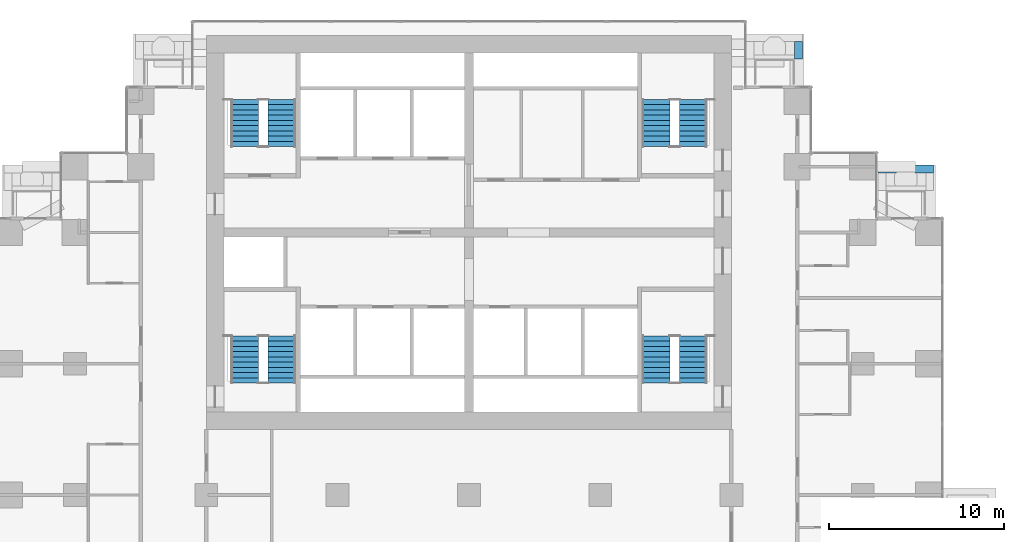
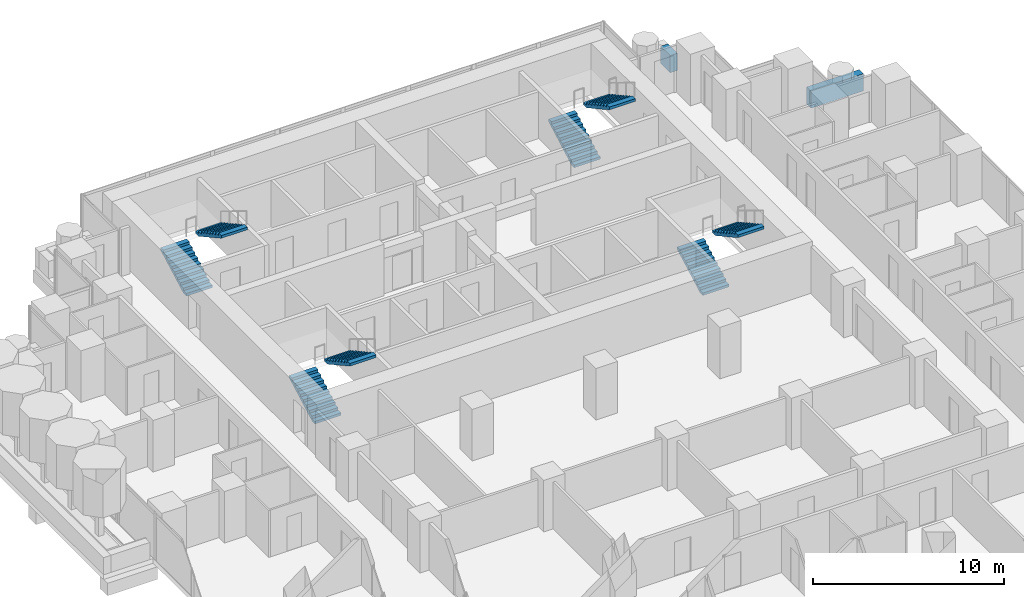
# One storey, part 15 of 18: 8 stair flights, 2 walls, 4 elements without a shape of their own.
"""IFC4 building model written with IfcOpenShell, lengths in metres."""

from ifc_helpers import new_model, si_unit, direction, frame, frame_2d, origin, place, context, subcontext, project, spatial, polyline, rectangle, outline, extrude, material, layer, layer_set, type_object, element, aggregate, save


model = new_model("IFC4")

# Units and contexts
model_context = context("Model", 3, precision=1e-05, world=origin(), true_north=direction((0.0, 1.0)))
body_context = subcontext(model_context, "Body", "Model", "MODEL_VIEW")
ifc_project = project(units=[si_unit("LENGTHUNIT", "METRE"), si_unit("AREAUNIT", "SQUARE_METRE"), si_unit("VOLUMEUNIT", "CUBIC_METRE"), si_unit("PLANEANGLEUNIT", "RADIAN"), si_unit("MASSUNIT", "GRAM", prefix="KILO")], contexts=[model_context])

# Site, building, storey
site_placement = place(None, origin())
site = spatial("IfcSite", under=ifc_project, at=site_placement, CompositionType="ELEMENT")
building_placement = place(site_placement, origin())
building = spatial("IfcBuilding", under=site, at=building_placement, Name="Pilkhan Gate Tower", CompositionType="ELEMENT")
storey_placement = place(building_placement, frame((0.0, 0.0, 56.0)))
storey = spatial("IfcBuildingStorey", under=building, at=storey_placement, Name="L11", CompositionType="ELEMENT", Elevation=56.0)

# Walls
ifc_material_1 = material(Name="Board-marked Concrete C40/50", Category="concrete")
ifc_layer = layer(ifc_material_1, 0.449951171875)
ifc_layer_set = layer_set([ifc_layer], Name="Balcony planter lip BL450")
wall_type = type_object("IfcWallType", Name="Balcony planter lip BL450", PredefinedType="USERDEFINED", material=ifc_layer_set)
wall_1_placement = place(storey_placement, frame((93.824951171875, 92.39990234375, 0.0), z_axis=(0.0, 0.0, 1.0), x_axis=(0.0, 1.0, 0.0)))
element("IfcWall", 1, at=wall_1_placement, inside=storey, type_object=wall_type, Name="Balcony planter L11 N", ObjectType="BALCONY PLANTER", PredefinedType="USERDEFINED", context=body_context, shape_type="SweptSolid", body=[
    extrude(rectangle(XDim=1.0, YDim=0.449951171875, at=frame_2d((0.5, 0.0))), origin(), (0.0, 0.0, 1.0), 1.10009765625),
])
wall_2_placement = place(storey_placement, frame((98.3701171875, 86.125, 0.0), z_axis=(0.0, 0.0, 1.0), x_axis=(1.0, 0.0, 0.0)))
element("IfcWall", 2, at=wall_2_placement, inside=storey, type_object=wall_type, Name="Balcony planter L11 N", ObjectType="BALCONY PLANTER", PredefinedType="USERDEFINED", context=body_context, shape_type="SweptSolid", body=[
    extrude(rectangle(XDim=3.179931640625, YDim=0.449951171875, at=frame_2d((1.58984375, 0.0))), origin(), (0.0, 0.0, 1.0), 1.10009765625),
])

# Stair, stair flights
ifc_material_2 = material(Name="Concrete C40/50 precast", Category="concrete")
stair_type_1 = type_object("IfcStairType", Name="Stair ST1 165x300", PredefinedType="HALF_TURN_STAIR", material=ifc_material_2)
stair_1_placement = place(storey_placement, origin())
stair_1 = element("IfcStair", 3, at=stair_1_placement, inside=storey, type_object=stair_type_1, Name="Stair ST1 L11", PredefinedType="HALF_TURN_STAIR")
stair_flight_type_1 = type_object("IfcStairFlightType", Name="Stair flight ST1 165x300x10", PredefinedType="STRAIGHT", material=ifc_material_2)
stair_flight_1_placement = place(storey_placement, frame((85.68994140625, 73.89990234375, 0.0), z_axis=(0.0, 0.0, 1.0), x_axis=(0.0, 1.0, 0.0)))
stair_flight_1 = element("IfcStairFlight", 4, at=stair_flight_1_placement, type_object=stair_flight_type_1, Name="ST1 flight 1", NumberOfRisers=10, NumberOfTreads=9, PredefinedType="STRAIGHT", RiserHeight=0.165, TreadLength=0.3, context=body_context, shape_type="SweptSolid", body=[
    extrude(outline(polyline([(0.0, 0.0), (0.0, 0.1650390625), (0.300048828125, 0.1650390625), (0.300048828125, 0.330078125), (0.60009765625, 0.330078125), (0.60009765625, 0.4951171875), (0.89990234375, 0.4951171875), (0.89990234375, 0.659912109375), (1.199951171875, 0.659912109375), (1.199951171875, 0.824951171875), (1.5, 0.824951171875), (1.5, 0.989990234375), (1.800048828125, 0.989990234375), (1.800048828125, 1.155029296875), (2.10009765625, 1.155029296875), (2.10009765625, 1.320068359375), (2.39990234375, 1.320068359375), (2.39990234375, 1.485107421875), (2.699951171875, 1.485107421875), (2.699951171875, 1.64990234375), (2.699951171875, 1.31396484375), (0.31103515625, 0.0), (0.0, 0.0)])), frame((0.0, 0.7900390625, 0.0), z_axis=(0.0, -1.0, 0.0), x_axis=(1.0, 0.0, 0.0)), (0.0, 0.0, 1.0), 1.580078125),
])
stair_flight_2_placement = place(storey_placement, frame((87.81005859375, 76.60009765625, 1.64990234375), z_axis=(0.0, 0.0, 1.0), x_axis=(0.0, -1.0, 0.0)))
stair_flight_2 = element("IfcStairFlight", 5, at=stair_flight_2_placement, type_object=stair_flight_type_1, Name="ST1 flight 2", NumberOfRisers=10, NumberOfTreads=9, PredefinedType="STRAIGHT", RiserHeight=0.165, TreadLength=0.3, context=body_context, shape_type="SweptSolid", body=[
    extrude(outline(polyline([(0.0, 0.0), (0.0, 0.1650390625), (0.300048828125, 0.1650390625), (0.300048828125, 0.330078125), (0.60009765625, 0.330078125), (0.60009765625, 0.4951171875), (0.89990234375, 0.4951171875), (0.89990234375, 0.659912109375), (1.199951171875, 0.659912109375), (1.199951171875, 0.824951171875), (1.5, 0.824951171875), (1.5, 0.989990234375), (1.800048828125, 0.989990234375), (1.800048828125, 1.155029296875), (2.10009765625, 1.155029296875), (2.10009765625, 1.320068359375), (2.39990234375, 1.320068359375), (2.39990234375, 1.485107421875), (2.699951171875, 1.485107421875), (2.699951171875, 1.64990234375), (2.699951171875, 1.31396484375), (0.31103515625, 0.0), (0.0, 0.0)])), frame((0.0, 0.7900390625, 0.0), z_axis=(0.0, -1.0, 0.0), x_axis=(1.0, 0.0, 0.0)), (0.0, 0.0, 1.0), 1.580078125),
])
aggregate(stair_1, [stair_flight_1, stair_flight_2])

stair_type_2 = type_object("IfcStairType", Name="Stair ST2 165x300", PredefinedType="HALF_TURN_STAIR", material=ifc_material_2)
stair_2_placement = place(storey_placement, origin())
stair_2 = element("IfcStair", 6, at=stair_2_placement, inside=storey, type_object=stair_type_2, Name="Stair ST2 L11", PredefinedType="HALF_TURN_STAIR")
stair_flight_type_2 = type_object("IfcStairFlightType", Name="Stair flight ST2 165x300x10", PredefinedType="STRAIGHT", material=ifc_material_2)
stair_flight_3_placement = place(storey_placement, frame((62.18994140625, 73.89990234375, 0.0), z_axis=(0.0, 0.0, 1.0), x_axis=(0.0, 1.0, 0.0)))
stair_flight_3 = element("IfcStairFlight", 7, at=stair_flight_3_placement, type_object=stair_flight_type_2, Name="ST2 flight 1", NumberOfRisers=10, NumberOfTreads=9, PredefinedType="STRAIGHT", RiserHeight=0.165, TreadLength=0.3, context=body_context, shape_type="SweptSolid", body=[
    extrude(outline(polyline([(0.0, 0.0), (0.0, 0.1650390625), (0.300048828125, 0.1650390625), (0.300048828125, 0.330078125), (0.60009765625, 0.330078125), (0.60009765625, 0.4951171875), (0.89990234375, 0.4951171875), (0.89990234375, 0.659912109375), (1.199951171875, 0.659912109375), (1.199951171875, 0.824951171875), (1.5, 0.824951171875), (1.5, 0.989990234375), (1.800048828125, 0.989990234375), (1.800048828125, 1.155029296875), (2.10009765625, 1.155029296875), (2.10009765625, 1.320068359375), (2.39990234375, 1.320068359375), (2.39990234375, 1.485107421875), (2.699951171875, 1.485107421875), (2.699951171875, 1.64990234375), (2.699951171875, 1.31396484375), (0.31103515625, 0.0), (0.0, 0.0)])), frame((0.0, 0.7900390625, 0.0), z_axis=(0.0, -1.0, 0.0), x_axis=(1.0, 0.0, 0.0)), (0.0, 0.0, 1.0), 1.580078125),
])
stair_flight_4_placement = place(storey_placement, frame((64.31005859375, 76.60009765625, 1.64990234375), z_axis=(0.0, 0.0, 1.0), x_axis=(0.0, -1.0, 0.0)))
stair_flight_4 = element("IfcStairFlight", 8, at=stair_flight_4_placement, type_object=stair_flight_type_2, Name="ST2 flight 2", NumberOfRisers=10, NumberOfTreads=9, PredefinedType="STRAIGHT", RiserHeight=0.165, TreadLength=0.3, context=body_context, shape_type="SweptSolid", body=[
    extrude(outline(polyline([(0.0, 0.0), (0.0, 0.1650390625), (0.300048828125, 0.1650390625), (0.300048828125, 0.330078125), (0.60009765625, 0.330078125), (0.60009765625, 0.4951171875), (0.89990234375, 0.4951171875), (0.89990234375, 0.659912109375), (1.199951171875, 0.659912109375), (1.199951171875, 0.824951171875), (1.5, 0.824951171875), (1.5, 0.989990234375), (1.800048828125, 0.989990234375), (1.800048828125, 1.155029296875), (2.10009765625, 1.155029296875), (2.10009765625, 1.320068359375), (2.39990234375, 1.320068359375), (2.39990234375, 1.485107421875), (2.699951171875, 1.485107421875), (2.699951171875, 1.64990234375), (2.699951171875, 1.31396484375), (0.31103515625, 0.0), (0.0, 0.0)])), frame((0.0, 0.7900390625, 0.0), z_axis=(0.0, -1.0, 0.0), x_axis=(1.0, 0.0, 0.0)), (0.0, 0.0, 1.0), 1.580078125),
])
aggregate(stair_2, [stair_flight_3, stair_flight_4])

stair_type_3 = type_object("IfcStairType", Name="Stair ST3 165x300", PredefinedType="HALF_TURN_STAIR", material=ifc_material_2)
stair_3_placement = place(storey_placement, origin())
stair_3 = element("IfcStair", 9, at=stair_3_placement, inside=storey, type_object=stair_type_3, Name="Stair ST3 L11", PredefinedType="HALF_TURN_STAIR")
stair_flight_type_3 = type_object("IfcStairFlightType", Name="Stair flight ST3 165x300x10", PredefinedType="STRAIGHT", material=ifc_material_2)
stair_flight_5_placement = place(storey_placement, frame((62.18994140625, 87.39990234375, 0.0), z_axis=(0.0, 0.0, 1.0), x_axis=(0.0, 1.0, 0.0)))
stair_flight_5 = element("IfcStairFlight", 10, at=stair_flight_5_placement, type_object=stair_flight_type_3, Name="ST3 flight 1", NumberOfRisers=10, NumberOfTreads=9, PredefinedType="STRAIGHT", RiserHeight=0.165, TreadLength=0.3, context=body_context, shape_type="SweptSolid", body=[
    extrude(outline(polyline([(0.0, 0.0), (0.0, 0.1650390625), (0.300048828125, 0.1650390625), (0.300048828125, 0.330078125), (0.60009765625, 0.330078125), (0.60009765625, 0.4951171875), (0.89990234375, 0.4951171875), (0.89990234375, 0.659912109375), (1.199951171875, 0.659912109375), (1.199951171875, 0.824951171875), (1.5, 0.824951171875), (1.5, 0.989990234375), (1.800048828125, 0.989990234375), (1.800048828125, 1.155029296875), (2.10009765625, 1.155029296875), (2.10009765625, 1.320068359375), (2.39990234375, 1.320068359375), (2.39990234375, 1.485107421875), (2.699951171875, 1.485107421875), (2.699951171875, 1.64990234375), (2.699951171875, 1.31396484375), (0.31103515625, 0.0), (0.0, 0.0)])), frame((0.0, 0.7900390625, 0.0), z_axis=(0.0, -1.0, 0.0), x_axis=(1.0, 0.0, 0.0)), (0.0, 0.0, 1.0), 1.580078125),
])
stair_flight_6_placement = place(storey_placement, frame((64.31005859375, 90.10009765625, 1.64990234375), z_axis=(0.0, 0.0, 1.0), x_axis=(0.0, -1.0, 0.0)))
stair_flight_6 = element("IfcStairFlight", 11, at=stair_flight_6_placement, type_object=stair_flight_type_3, Name="ST3 flight 2", NumberOfRisers=10, NumberOfTreads=9, PredefinedType="STRAIGHT", RiserHeight=0.165, TreadLength=0.3, context=body_context, shape_type="SweptSolid", body=[
    extrude(outline(polyline([(0.0, 0.0), (0.0, 0.1650390625), (0.300048828125, 0.1650390625), (0.300048828125, 0.330078125), (0.60009765625, 0.330078125), (0.60009765625, 0.4951171875), (0.89990234375, 0.4951171875), (0.89990234375, 0.659912109375), (1.199951171875, 0.659912109375), (1.199951171875, 0.824951171875), (1.5, 0.824951171875), (1.5, 0.989990234375), (1.800048828125, 0.989990234375), (1.800048828125, 1.155029296875), (2.10009765625, 1.155029296875), (2.10009765625, 1.320068359375), (2.39990234375, 1.320068359375), (2.39990234375, 1.485107421875), (2.699951171875, 1.485107421875), (2.699951171875, 1.64990234375), (2.699951171875, 1.31396484375), (0.31103515625, 0.0), (0.0, 0.0)])), frame((0.0, 0.7900390625, 0.0), z_axis=(0.0, -1.0, 0.0), x_axis=(1.0, 0.0, 0.0)), (0.0, 0.0, 1.0), 1.580078125),
])
aggregate(stair_3, [stair_flight_5, stair_flight_6])

stair_type_4 = type_object("IfcStairType", Name="Stair ST4 165x300", PredefinedType="HALF_TURN_STAIR", material=ifc_material_2)
stair_4_placement = place(storey_placement, origin())
stair_4 = element("IfcStair", 12, at=stair_4_placement, inside=storey, type_object=stair_type_4, Name="Stair ST4 L11", PredefinedType="HALF_TURN_STAIR")
stair_flight_type_4 = type_object("IfcStairFlightType", Name="Stair flight ST4 165x300x10", PredefinedType="STRAIGHT", material=ifc_material_2)
stair_flight_7_placement = place(storey_placement, frame((85.68994140625, 87.39990234375, 0.0), z_axis=(0.0, 0.0, 1.0), x_axis=(0.0, 1.0, 0.0)))
stair_flight_7 = element("IfcStairFlight", 13, at=stair_flight_7_placement, type_object=stair_flight_type_4, Name="ST4 flight 1", NumberOfRisers=10, NumberOfTreads=9, PredefinedType="STRAIGHT", RiserHeight=0.165, TreadLength=0.3, context=body_context, shape_type="SweptSolid", body=[
    extrude(outline(polyline([(0.0, 0.0), (0.0, 0.1650390625), (0.300048828125, 0.1650390625), (0.300048828125, 0.330078125), (0.60009765625, 0.330078125), (0.60009765625, 0.4951171875), (0.89990234375, 0.4951171875), (0.89990234375, 0.659912109375), (1.199951171875, 0.659912109375), (1.199951171875, 0.824951171875), (1.5, 0.824951171875), (1.5, 0.989990234375), (1.800048828125, 0.989990234375), (1.800048828125, 1.155029296875), (2.10009765625, 1.155029296875), (2.10009765625, 1.320068359375), (2.39990234375, 1.320068359375), (2.39990234375, 1.485107421875), (2.699951171875, 1.485107421875), (2.699951171875, 1.64990234375), (2.699951171875, 1.31396484375), (0.31103515625, 0.0), (0.0, 0.0)])), frame((0.0, 0.7900390625, 0.0), z_axis=(0.0, -1.0, 0.0), x_axis=(1.0, 0.0, 0.0)), (0.0, 0.0, 1.0), 1.580078125),
])
stair_flight_8_placement = place(storey_placement, frame((87.81005859375, 90.10009765625, 1.64990234375), z_axis=(0.0, 0.0, 1.0), x_axis=(0.0, -1.0, 0.0)))
stair_flight_8 = element("IfcStairFlight", 14, at=stair_flight_8_placement, type_object=stair_flight_type_4, Name="ST4 flight 2", NumberOfRisers=10, NumberOfTreads=9, PredefinedType="STRAIGHT", RiserHeight=0.165, TreadLength=0.3, context=body_context, shape_type="SweptSolid", body=[
    extrude(outline(polyline([(0.0, 0.0), (0.0, 0.1650390625), (0.300048828125, 0.1650390625), (0.300048828125, 0.330078125), (0.60009765625, 0.330078125), (0.60009765625, 0.4951171875), (0.89990234375, 0.4951171875), (0.89990234375, 0.659912109375), (1.199951171875, 0.659912109375), (1.199951171875, 0.824951171875), (1.5, 0.824951171875), (1.5, 0.989990234375), (1.800048828125, 0.989990234375), (1.800048828125, 1.155029296875), (2.10009765625, 1.155029296875), (2.10009765625, 1.320068359375), (2.39990234375, 1.320068359375), (2.39990234375, 1.485107421875), (2.699951171875, 1.485107421875), (2.699951171875, 1.64990234375), (2.699951171875, 1.31396484375), (0.31103515625, 0.0), (0.0, 0.0)])), frame((0.0, 0.7900390625, 0.0), z_axis=(0.0, -1.0, 0.0), x_axis=(1.0, 0.0, 0.0)), (0.0, 0.0, 1.0), 1.580078125),
])
aggregate(stair_4, [stair_flight_7, stair_flight_8])

save(model, "model.ifc")
